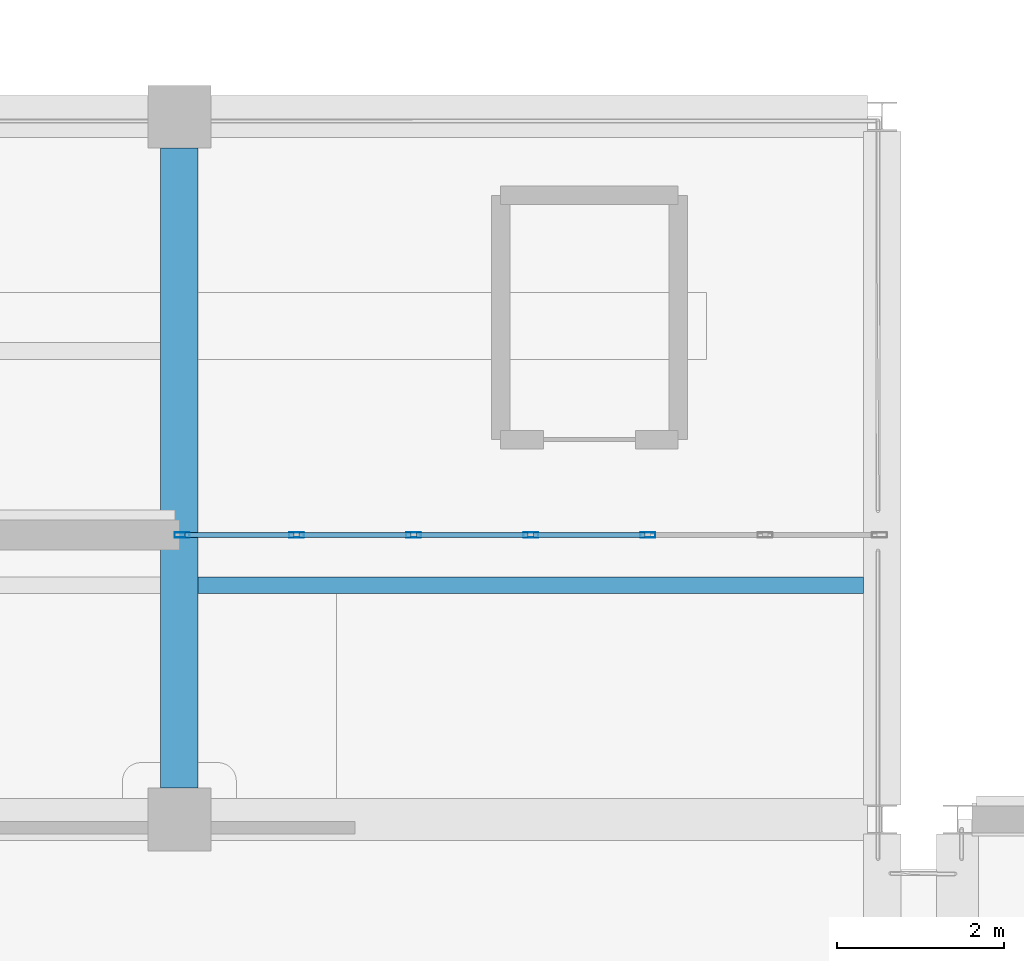
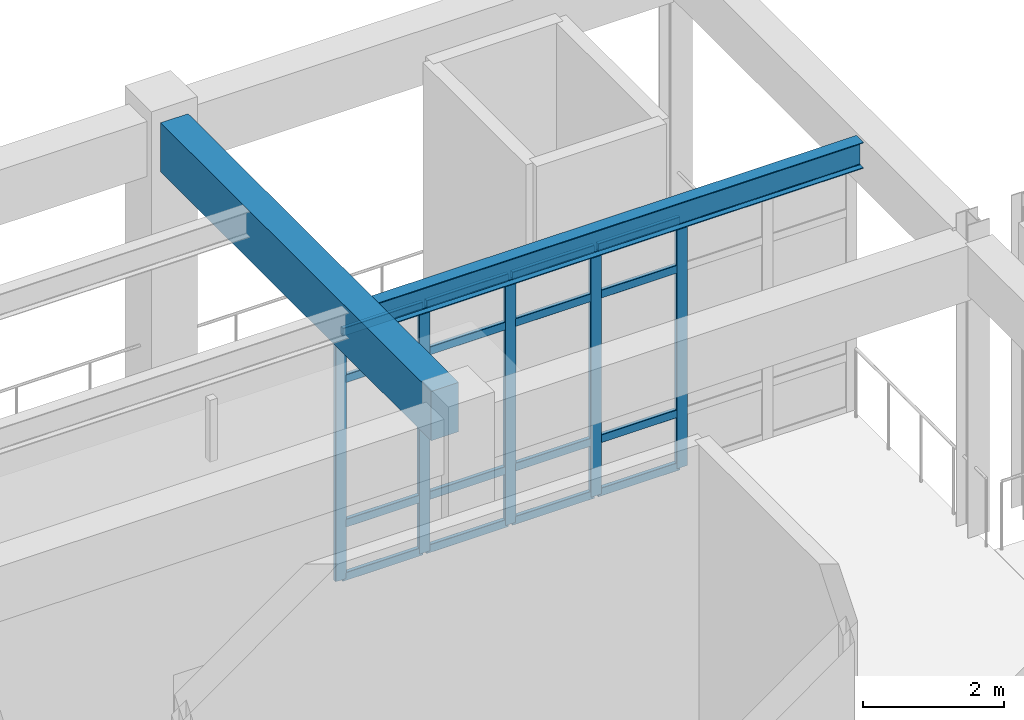
# One storey, part 5 of 80: 21 members, 2 beams, 1 element without a shape of its own.
"""IFC4 building model written with IfcOpenShell, lengths in metres."""

from ifc_helpers import new_model, si_unit, direction, frame, origin, origin_2d, place, context, subcontext, project, spatial, rectangle, hollow_rectangle, i_section, extrude, material, material_profile, profile_set, type_object, element, aggregate, save


model = new_model("IFC4")

# Units and contexts
model_context = context("Model", 3, precision=1e-05, world=origin(), true_north=direction((0.0, 1.0)))
body_context = subcontext(model_context, "Body", "Model", "MODEL_VIEW")
ifc_project = project(units=[si_unit("LENGTHUNIT", "METRE"), si_unit("AREAUNIT", "SQUARE_METRE"), si_unit("VOLUMEUNIT", "CUBIC_METRE"), si_unit("PLANEANGLEUNIT", "RADIAN"), si_unit("MASSUNIT", "GRAM", prefix="KILO")], contexts=[model_context])

# Site, building, storey
site_placement = place(None, origin())
site = spatial("IfcSite", under=ifc_project, at=site_placement, CompositionType="ELEMENT")
building_placement = place(site_placement, origin())
building = spatial("IfcBuilding", under=site, at=building_placement, Name="Canglan Escarpment Cableway Terminal", CompositionType="ELEMENT")
storey_placement = place(building_placement, frame((0.0, 0.0, 19.199951171875)))
storey = spatial("IfcBuildingStorey", under=building, at=storey_placement, Name="L04", CompositionType="ELEMENT", Elevation=19.199951171875)

# Beam
ifc_material_1 = material(Name="Concrete C40", Category="concrete")
ifc_material_profile_1 = material_profile(ifc_material_1, rectangle(XDim=0.449951171875, YDim=0.85009765625, at=origin_2d()), Name="RC 450x850")
ifc_profile_set_1 = profile_set([ifc_material_profile_1], Name="Concrete C40")
beam_type_1 = type_object("IfcBeamType", Name="BM-RC450x850", PredefinedType="BEAM", material=ifc_profile_set_1)
beam_1_placement = place(storey_placement, frame((128.300048828125, 16.77490234375, 4.735107421875), z_axis=(0.0, 1.0, 0.0), x_axis=(-1.0, 0.0, 0.0)))
element("IfcBeam", 1, at=beam_1_placement, inside=storey, type_object=beam_type_1, Name="Primary transverse girder B-02", PredefinedType="BEAM", context=body_context, shape_type="SweptSolid", body=[
    extrude(rectangle(XDim=0.449951171875, YDim=0.85009765625, at=origin_2d()), origin(), (0.0, 0.0, 1.0), 7.650146484375),
])

# Curtain wall, members
ifc_material_2 = material(Name="Anodized bronze aluminium and Low-E double glazing", Category="aluminium")
curtain_wall_type = type_object("IfcCurtainWallType", Name="CW-BAY-8400x4300", PredefinedType="NOTDEFINED", material=ifc_material_2)
curtain_wall_placement = place(storey_placement, origin())
curtain_wall = element("IfcCurtainWall", 2, at=curtain_wall_placement, inside=storey, type_object=curtain_wall_type, Name="Classical bay-between-piers glazed curtain wall CW-20", PredefinedType="NOTDEFINED")
ifc_material_3 = material(Name="Thermally broken anodized aluminium 6063-T6", Category="aluminium")
ifc_material_profile_2 = material_profile(ifc_material_3, hollow_rectangle(XDim=0.06494140625, YDim=0.179931640625, WallThickness=0.00390625, InnerFilletRadius=0.00390625, OuterFilletRadius=0.008056640625, at=origin_2d()), Name="ALU-MULL 65x180x4")
ifc_profile_set_2 = profile_set([ifc_material_profile_2], Name="Thermally broken anodized aluminium 6063-T6")
member_type_1 = type_object("IfcMemberType", Name="CWM-03", PredefinedType="MULLION", material=ifc_profile_set_2)
member_1_placement = place(storey_placement, frame((133.89990234375, 19.800048828125, 0.0), z_axis=(0.0, 0.0, 1.0), x_axis=(0.0, -1.0, 0.0)))
member_1 = element("IfcMember", 3, at=member_1_placement, type_object=member_type_1, Name="CW-20 mullion 3", PredefinedType="MULLION", context=body_context, shape_type="SweptSolid", body=[
    extrude(hollow_rectangle(XDim=0.06494140625, YDim=0.179931640625, WallThickness=0.00390625, InnerFilletRadius=0.00390625, OuterFilletRadius=0.008056640625, at=origin_2d()), origin(), (0.0, 0.0, 1.0), 4.295166015625),
])
member_2_placement = place(storey_placement, frame((132.5, 19.800048828125, 0.0), z_axis=(0.0, 0.0, 1.0), x_axis=(0.0, -1.0, 0.0)))
member_2 = element("IfcMember", 4, at=member_2_placement, type_object=member_type_1, Name="CW-20 mullion 4", PredefinedType="MULLION", context=body_context, shape_type="SweptSolid", body=[
    extrude(hollow_rectangle(XDim=0.06494140625, YDim=0.179931640625, WallThickness=0.00390625, InnerFilletRadius=0.00390625, OuterFilletRadius=0.008056640625, at=origin_2d()), origin(), (0.0, 0.0, 1.0), 4.295166015625),
])
member_3_placement = place(storey_placement, frame((131.10009765625, 19.800048828125, 0.0), z_axis=(0.0, 0.0, 1.0), x_axis=(0.0, -1.0, 0.0)))
member_3 = element("IfcMember", 5, at=member_3_placement, type_object=member_type_1, Name="CW-20 mullion 5", PredefinedType="MULLION", context=body_context, shape_type="SweptSolid", body=[
    extrude(hollow_rectangle(XDim=0.06494140625, YDim=0.179931640625, WallThickness=0.00390625, InnerFilletRadius=0.00390625, OuterFilletRadius=0.008056640625, at=origin_2d()), origin(), (0.0, 0.0, 1.0), 4.295166015625),
])
member_4_placement = place(storey_placement, frame((129.699951171875, 19.800048828125, 0.0), z_axis=(0.0, 0.0, 1.0), x_axis=(0.0, -1.0, 0.0)))
member_4 = element("IfcMember", 6, at=member_4_placement, type_object=member_type_1, Name="CW-20 mullion 6", PredefinedType="MULLION", context=body_context, shape_type="SweptSolid", body=[
    extrude(hollow_rectangle(XDim=0.06494140625, YDim=0.179931640625, WallThickness=0.00390625, InnerFilletRadius=0.00390625, OuterFilletRadius=0.008056640625, at=origin_2d()), origin(), (0.0, 0.0, 1.0), 4.295166015625),
])
member_5_placement = place(storey_placement, frame((128.33251953125, 19.800048828125, 0.0), z_axis=(0.0, 0.0, 1.0), x_axis=(0.0, -1.0, 0.0)))
member_5 = element("IfcMember", 7, at=member_5_placement, type_object=member_type_1, Name="CW-20 mullion 7", PredefinedType="MULLION", context=body_context, shape_type="SweptSolid", body=[
    extrude(hollow_rectangle(XDim=0.06494140625, YDim=0.179931640625, WallThickness=0.00390625, InnerFilletRadius=0.00390625, OuterFilletRadius=0.008056640625, at=origin_2d()), origin(), (0.0, 0.0, 1.0), 4.295166015625),
])
ifc_material_profile_3 = material_profile(ifc_material_3, hollow_rectangle(XDim=0.06494140625, YDim=0.139892578125, WallThickness=0.00341796875, InnerFilletRadius=0.00341796875, OuterFilletRadius=0.007080078125, at=origin_2d()), Name="ALU-TRAN 65x140x3.5")
ifc_profile_set_3 = profile_set([ifc_material_profile_3], Name="Thermally broken anodized aluminium 6063-T6")
member_type_2 = type_object("IfcMemberType", Name="CWT-03", PredefinedType="USERDEFINED", material=ifc_profile_set_3)
member_6_placement = place(storey_placement, frame((133.867431640625, 19.800048828125, 0.032470703125), z_axis=(-1.0, 0.0, 0.0), x_axis=(0.0, -1.0, 0.0)))
member_6 = element("IfcMember", 8, at=member_6_placement, type_object=member_type_2, Name="CW-20 transom 3.1", ObjectType="TRANSOM", PredefinedType="USERDEFINED", context=body_context, shape_type="SweptSolid", body=[
    extrude(hollow_rectangle(XDim=0.06494140625, YDim=0.139892578125, WallThickness=0.00341796875, InnerFilletRadius=0.00341796875, OuterFilletRadius=0.007080078125, at=origin_2d()), origin(), (0.0, 0.0, 1.0), 1.3349609375),
])
member_7_placement = place(storey_placement, frame((133.867431640625, 19.800048828125, 0.949951171875), z_axis=(-1.0, 0.0, 0.0), x_axis=(0.0, -1.0, 0.0)))
member_7 = element("IfcMember", 9, at=member_7_placement, type_object=member_type_2, Name="CW-20 transom 3.2", ObjectType="TRANSOM", PredefinedType="USERDEFINED", context=body_context, shape_type="SweptSolid", body=[
    extrude(hollow_rectangle(XDim=0.06494140625, YDim=0.139892578125, WallThickness=0.00341796875, InnerFilletRadius=0.00341796875, OuterFilletRadius=0.007080078125, at=origin_2d()), origin(), (0.0, 0.0, 1.0), 1.3349609375),
])
member_8_placement = place(storey_placement, frame((133.867431640625, 19.800048828125, 3.445068359375), z_axis=(-1.0, 0.0, 0.0), x_axis=(0.0, -1.0, 0.0)))
member_8 = element("IfcMember", 10, at=member_8_placement, type_object=member_type_2, Name="CW-20 transom 3.3", ObjectType="TRANSOM", PredefinedType="USERDEFINED", context=body_context, shape_type="SweptSolid", body=[
    extrude(hollow_rectangle(XDim=0.06494140625, YDim=0.139892578125, WallThickness=0.00341796875, InnerFilletRadius=0.00341796875, OuterFilletRadius=0.007080078125, at=origin_2d()), origin(), (0.0, 0.0, 1.0), 1.3349609375),
])
member_9_placement = place(storey_placement, frame((133.867431640625, 19.800048828125, 4.262451171875), z_axis=(-1.0, 0.0, 0.0), x_axis=(0.0, -1.0, 0.0)))
member_9 = element("IfcMember", 11, at=member_9_placement, type_object=member_type_2, Name="CW-20 transom 3.4", ObjectType="TRANSOM", PredefinedType="USERDEFINED", context=body_context, shape_type="SweptSolid", body=[
    extrude(hollow_rectangle(XDim=0.06494140625, YDim=0.139892578125, WallThickness=0.00341796875, InnerFilletRadius=0.00341796875, OuterFilletRadius=0.007080078125, at=origin_2d()), origin(), (0.0, 0.0, 1.0), 1.3349609375),
])
member_10_placement = place(storey_placement, frame((132.467529296875, 19.800048828125, 0.032470703125), z_axis=(-1.0, 0.0, 0.0), x_axis=(0.0, -1.0, 0.0)))
member_10 = element("IfcMember", 12, at=member_10_placement, type_object=member_type_2, Name="CW-20 transom 4.1", ObjectType="TRANSOM", PredefinedType="USERDEFINED", context=body_context, shape_type="SweptSolid", body=[
    extrude(hollow_rectangle(XDim=0.06494140625, YDim=0.139892578125, WallThickness=0.00341796875, InnerFilletRadius=0.00341796875, OuterFilletRadius=0.007080078125, at=origin_2d()), origin(), (0.0, 0.0, 1.0), 1.3349609375),
])
member_11_placement = place(storey_placement, frame((132.467529296875, 19.800048828125, 0.949951171875), z_axis=(-1.0, 0.0, 0.0), x_axis=(0.0, -1.0, 0.0)))
member_11 = element("IfcMember", 13, at=member_11_placement, type_object=member_type_2, Name="CW-20 transom 4.2", ObjectType="TRANSOM", PredefinedType="USERDEFINED", context=body_context, shape_type="SweptSolid", body=[
    extrude(hollow_rectangle(XDim=0.06494140625, YDim=0.139892578125, WallThickness=0.00341796875, InnerFilletRadius=0.00341796875, OuterFilletRadius=0.007080078125, at=origin_2d()), origin(), (0.0, 0.0, 1.0), 1.3349609375),
])
member_12_placement = place(storey_placement, frame((132.467529296875, 19.800048828125, 3.445068359375), z_axis=(-1.0, 0.0, 0.0), x_axis=(0.0, -1.0, 0.0)))
member_12 = element("IfcMember", 14, at=member_12_placement, type_object=member_type_2, Name="CW-20 transom 4.3", ObjectType="TRANSOM", PredefinedType="USERDEFINED", context=body_context, shape_type="SweptSolid", body=[
    extrude(hollow_rectangle(XDim=0.06494140625, YDim=0.139892578125, WallThickness=0.00341796875, InnerFilletRadius=0.00341796875, OuterFilletRadius=0.007080078125, at=origin_2d()), origin(), (0.0, 0.0, 1.0), 1.3349609375),
])
member_13_placement = place(storey_placement, frame((132.467529296875, 19.800048828125, 4.262451171875), z_axis=(-1.0, 0.0, 0.0), x_axis=(0.0, -1.0, 0.0)))
member_13 = element("IfcMember", 15, at=member_13_placement, type_object=member_type_2, Name="CW-20 transom 4.4", ObjectType="TRANSOM", PredefinedType="USERDEFINED", context=body_context, shape_type="SweptSolid", body=[
    extrude(hollow_rectangle(XDim=0.06494140625, YDim=0.139892578125, WallThickness=0.00341796875, InnerFilletRadius=0.00341796875, OuterFilletRadius=0.007080078125, at=origin_2d()), origin(), (0.0, 0.0, 1.0), 1.3349609375),
])
member_14_placement = place(storey_placement, frame((131.0673828125, 19.800048828125, 0.032470703125), z_axis=(-1.0, 0.0, 0.0), x_axis=(0.0, -1.0, 0.0)))
member_14 = element("IfcMember", 16, at=member_14_placement, type_object=member_type_2, Name="CW-20 transom 5.1", ObjectType="TRANSOM", PredefinedType="USERDEFINED", context=body_context, shape_type="SweptSolid", body=[
    extrude(hollow_rectangle(XDim=0.06494140625, YDim=0.139892578125, WallThickness=0.00341796875, InnerFilletRadius=0.00341796875, OuterFilletRadius=0.007080078125, at=origin_2d()), origin(), (0.0, 0.0, 1.0), 1.3349609375),
])
member_15_placement = place(storey_placement, frame((131.0673828125, 19.800048828125, 0.949951171875), z_axis=(-1.0, 0.0, 0.0), x_axis=(0.0, -1.0, 0.0)))
member_15 = element("IfcMember", 17, at=member_15_placement, type_object=member_type_2, Name="CW-20 transom 5.2", ObjectType="TRANSOM", PredefinedType="USERDEFINED", context=body_context, shape_type="SweptSolid", body=[
    extrude(hollow_rectangle(XDim=0.06494140625, YDim=0.139892578125, WallThickness=0.00341796875, InnerFilletRadius=0.00341796875, OuterFilletRadius=0.007080078125, at=origin_2d()), origin(), (0.0, 0.0, 1.0), 1.3349609375),
])
member_16_placement = place(storey_placement, frame((131.0673828125, 19.800048828125, 3.445068359375), z_axis=(-1.0, 0.0, 0.0), x_axis=(0.0, -1.0, 0.0)))
member_16 = element("IfcMember", 18, at=member_16_placement, type_object=member_type_2, Name="CW-20 transom 5.3", ObjectType="TRANSOM", PredefinedType="USERDEFINED", context=body_context, shape_type="SweptSolid", body=[
    extrude(hollow_rectangle(XDim=0.06494140625, YDim=0.139892578125, WallThickness=0.00341796875, InnerFilletRadius=0.00341796875, OuterFilletRadius=0.007080078125, at=origin_2d()), origin(), (0.0, 0.0, 1.0), 1.3349609375),
])
member_17_placement = place(storey_placement, frame((131.0673828125, 19.800048828125, 4.262451171875), z_axis=(-1.0, 0.0, 0.0), x_axis=(0.0, -1.0, 0.0)))
member_17 = element("IfcMember", 19, at=member_17_placement, type_object=member_type_2, Name="CW-20 transom 5.4", ObjectType="TRANSOM", PredefinedType="USERDEFINED", context=body_context, shape_type="SweptSolid", body=[
    extrude(hollow_rectangle(XDim=0.06494140625, YDim=0.139892578125, WallThickness=0.00341796875, InnerFilletRadius=0.00341796875, OuterFilletRadius=0.007080078125, at=origin_2d()), origin(), (0.0, 0.0, 1.0), 1.3349609375),
])
member_18_placement = place(storey_placement, frame((129.66748046875, 19.800048828125, 0.032470703125), z_axis=(-1.0, 0.0, 0.0), x_axis=(0.0, -1.0, 0.0)))
member_18 = element("IfcMember", 20, at=member_18_placement, type_object=member_type_2, Name="CW-20 transom 6.1", ObjectType="TRANSOM", PredefinedType="USERDEFINED", context=body_context, shape_type="SweptSolid", body=[
    extrude(hollow_rectangle(XDim=0.06494140625, YDim=0.139892578125, WallThickness=0.00341796875, InnerFilletRadius=0.00341796875, OuterFilletRadius=0.007080078125, at=origin_2d()), origin(), (0.0, 0.0, 1.0), 1.302490234375),
])
member_19_placement = place(storey_placement, frame((129.66748046875, 19.800048828125, 0.949951171875), z_axis=(-1.0, 0.0, 0.0), x_axis=(0.0, -1.0, 0.0)))
member_19 = element("IfcMember", 21, at=member_19_placement, type_object=member_type_2, Name="CW-20 transom 6.2", ObjectType="TRANSOM", PredefinedType="USERDEFINED", context=body_context, shape_type="SweptSolid", body=[
    extrude(hollow_rectangle(XDim=0.06494140625, YDim=0.139892578125, WallThickness=0.00341796875, InnerFilletRadius=0.00341796875, OuterFilletRadius=0.007080078125, at=origin_2d()), origin(), (0.0, 0.0, 1.0), 1.302490234375),
])
member_20_placement = place(storey_placement, frame((129.66748046875, 19.800048828125, 3.445068359375), z_axis=(-1.0, 0.0, 0.0), x_axis=(0.0, -1.0, 0.0)))
member_20 = element("IfcMember", 22, at=member_20_placement, type_object=member_type_2, Name="CW-20 transom 6.3", ObjectType="TRANSOM", PredefinedType="USERDEFINED", context=body_context, shape_type="SweptSolid", body=[
    extrude(hollow_rectangle(XDim=0.06494140625, YDim=0.139892578125, WallThickness=0.00341796875, InnerFilletRadius=0.00341796875, OuterFilletRadius=0.007080078125, at=origin_2d()), origin(), (0.0, 0.0, 1.0), 1.302490234375),
])
member_21_placement = place(storey_placement, frame((129.66748046875, 19.800048828125, 4.262451171875), z_axis=(-1.0, 0.0, 0.0), x_axis=(0.0, -1.0, 0.0)))
member_21 = element("IfcMember", 23, at=member_21_placement, type_object=member_type_2, Name="CW-20 transom 6.4", ObjectType="TRANSOM", PredefinedType="USERDEFINED", context=body_context, shape_type="SweptSolid", body=[
    extrude(hollow_rectangle(XDim=0.06494140625, YDim=0.139892578125, WallThickness=0.00341796875, InnerFilletRadius=0.00341796875, OuterFilletRadius=0.007080078125, at=origin_2d()), origin(), (0.0, 0.0, 1.0), 1.302490234375),
])
aggregate(curtain_wall, [member_1, member_2, member_3, member_4, member_5, member_6, member_7, member_8, member_9, member_10, member_11, member_12, member_13, member_14, member_15, member_16, member_17, member_18, member_19, member_20, member_21])

# Beam
ifc_material_4 = material(Name="Steel Q355B", Category="steel")
ifc_material_profile_4 = material_profile(ifc_material_4, i_section(OverallWidth=0.199951171875, OverallDepth=0.449951171875, WebThickness=0.009033203125, FlangeThickness=0.013916015625, FilletRadius=0.01806640625, at=origin_2d()), Name="HN 450x200x9x14")
ifc_profile_set_4 = profile_set([ifc_material_profile_4], Name="Steel Q355B")
beam_type_2 = type_object("IfcBeamType", Name="JS-HN450", PredefinedType="JOIST", material=ifc_profile_set_4)
beam_2_placement = place(storey_placement, frame((128.52490234375, 19.199951171875, 4.885009765625), z_axis=(1.0, 0.0, 0.0), x_axis=(0.0, 1.0, 0.0)))
element("IfcBeam", 24, at=beam_2_placement, inside=storey, type_object=beam_type_2, Name="Secondary composite deck joist J-02", PredefinedType="JOIST", context=body_context, shape_type="SweptSolid", body=[
    extrude(i_section(OverallWidth=0.199951171875, OverallDepth=0.449951171875, WebThickness=0.009033203125, FlangeThickness=0.013916015625, FilletRadius=0.01806640625, at=origin_2d()), origin(), (0.0, 0.0, 1.0), 7.9501953125),
])

save(model, "model.ifc")
